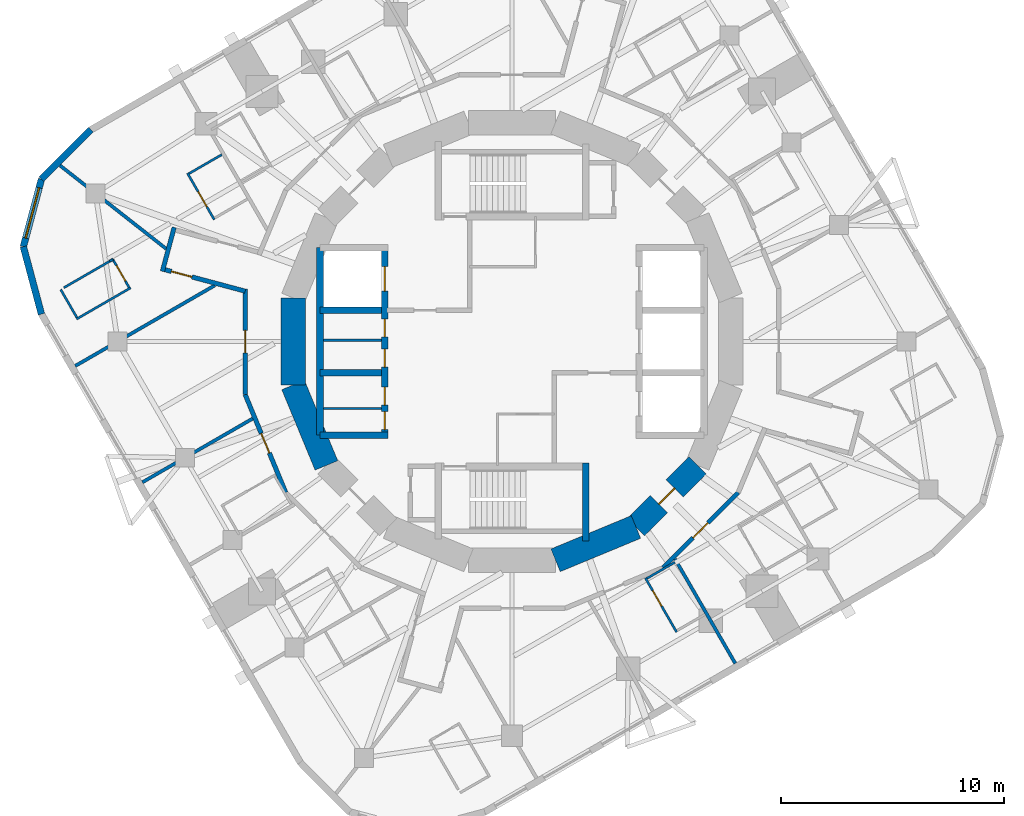
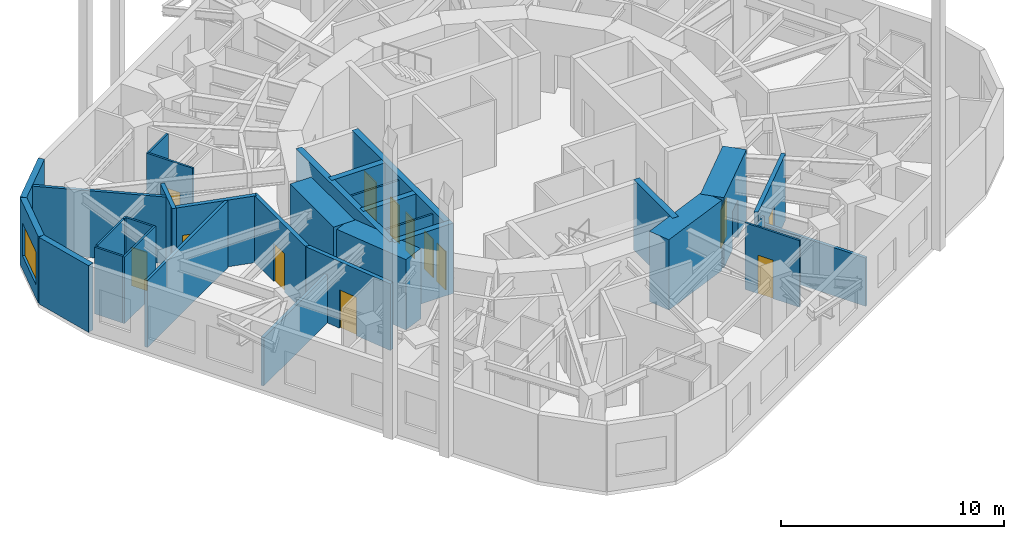
# One storey, part 5 of 10: 33 walls, 13 doors, 1 window, 14 openings.
"""IFC4 building model written with IfcOpenShell, lengths in metres."""

from ifc_helpers import new_model, si_unit, direction, frame, frame_2d, origin, place, context, subcontext, project, spatial, rectangle, extrude, material, layer, layer_set, type_object, element, fill, save


model = new_model("IFC4")

# Units and contexts
model_context = context("Model", 3, precision=1e-05, world=origin(), true_north=direction((0.0, 1.0)))
body_context = subcontext(model_context, "Body", "Model", "MODEL_VIEW")
ifc_project = project(units=[si_unit("LENGTHUNIT", "METRE"), si_unit("AREAUNIT", "SQUARE_METRE"), si_unit("VOLUMEUNIT", "CUBIC_METRE"), si_unit("PLANEANGLEUNIT", "RADIAN"), si_unit("MASSUNIT", "GRAM", prefix="KILO")], contexts=[model_context])

# Site, building, storey
site_placement = place(None, origin())
site = spatial("IfcSite", under=ifc_project, at=site_placement, CompositionType="ELEMENT")
building_placement = place(site_placement, origin())
building = spatial("IfcBuilding", under=site, at=building_placement, Name="Nakasero Lantern House", CompositionType="ELEMENT")
storey_placement = place(building_placement, frame((0.0, 0.0, 223.10009765625)))
storey = spatial("IfcBuildingStorey", under=building, at=storey_placement, Name="L54", CompositionType="ELEMENT", Elevation=223.10009765625)

# Wall, openings, doors
ifc_material_1 = material(Name="Concrete C50/60", Category="concrete")
ifc_layer_1 = layer(ifc_material_1, 0.300048828125)
ifc_layer_set_1 = layer_set([ifc_layer_1], Name="Core inner wall 300")
wall_type_1 = type_object("IfcWallType", Name="Core inner wall 300", PredefinedType="SHEAR", material=ifc_layer_set_1)
wall_1_placement = place(storey_placement, frame((-5.699951171875, -4.199951171875, 0.0), z_axis=(0.0, 0.0, 1.0), x_axis=(0.0, 1.0, 0.0)))
wall_1 = element("IfcWall", 1, at=wall_1_placement, inside=storey, type_object=wall_type_1, Name="Core inner wall L54 LW", PredefinedType="SHEAR", context=body_context, shape_type="SweptSolid", body=[
    extrude(rectangle(XDim=8.39990234375, YDim=0.300048828125, at=frame_2d((4.199951171875, 0.0))), origin(), (0.0, 0.0, 1.0), 3.849853515625),
])
opening_1_placement = place(wall_1_placement, frame((0.25, 0.0, 0.0)))
opening_1 = element("IfcOpeningElement", 2, at=opening_1_placement, cuts=wall_1, Name="Opening D15", PredefinedType="OPENING", context=body_context, shape_type="SweptSolid", body=[
    extrude(rectangle(XDim=0.800048828125, YDim=2.10009765625, at=frame_2d((0.39990234375, 1.050048828125))), frame((0.0, 0.169921875, 0.0), z_axis=(0.0, -1.0, 0.0), x_axis=(1.0, 0.0, 0.0)), (0.0, 0.0, 1.0), 0.340087890625),
])
opening_2_placement = place(wall_1_placement, frame((1.35009765625, 0.0, 0.0)))
opening_2 = element("IfcOpeningElement", 3, at=opening_2_placement, cuts=wall_1, Name="Opening D15", PredefinedType="OPENING", context=body_context, shape_type="SweptSolid", body=[
    extrude(rectangle(XDim=0.800048828125, YDim=2.10009765625, at=frame_2d((0.39990234375, 1.050048828125))), frame((0.0, 0.169921875, 0.0), z_axis=(0.0, -1.0, 0.0), x_axis=(1.0, 0.0, 0.0)), (0.0, 0.0, 1.0), 0.340087890625),
])
opening_3_placement = place(wall_1_placement, frame((3.050048828125, 0.0, 0.0)))
opening_3 = element("IfcOpeningElement", 4, at=opening_3_placement, cuts=wall_1, Name="Opening D15", PredefinedType="OPENING", context=body_context, shape_type="SweptSolid", body=[
    extrude(rectangle(XDim=0.800048828125, YDim=2.10009765625, at=frame_2d((0.39990234375, 1.050048828125))), frame((0.0, 0.169921875, 0.0), z_axis=(0.0, -1.0, 0.0), x_axis=(1.0, 0.0, 0.0)), (0.0, 0.0, 1.0), 0.340087890625),
])
opening_4_placement = place(wall_1_placement, frame((4.39990234375, 0.0, 0.0)))
opening_4 = element("IfcOpeningElement", 5, at=opening_4_placement, cuts=wall_1, Name="Opening D15", PredefinedType="OPENING", context=body_context, shape_type="SweptSolid", body=[
    extrude(rectangle(XDim=0.800048828125, YDim=2.10009765625, at=frame_2d((0.39990234375, 1.050048828125))), frame((0.0, 0.169921875, 0.0), z_axis=(0.0, -1.0, 0.0), x_axis=(1.0, 0.0, 0.0)), (0.0, 0.0, 1.0), 0.340087890625),
])
opening_5_placement = place(wall_1_placement, frame((6.449951171875, 0.0, 0.0)))
opening_5 = element("IfcOpeningElement", 6, at=opening_5_placement, cuts=wall_1, Name="Opening LD", PredefinedType="OPENING", context=body_context, shape_type="SweptSolid", body=[
    extrude(rectangle(XDim=1.10009765625, YDim=2.10009765625, at=frame_2d((0.550048828125, 1.050048828125))), frame((0.0, 0.169921875, 0.0), z_axis=(0.0, -1.0, 0.0), x_axis=(1.0, 0.0, 0.0)), (0.0, 0.0, 1.0), 0.340087890625),
])
ifc_material_2 = material(Name="Timber C24", Category="wood")
door_type_1 = type_object("IfcDoorType", Name="Cleaner's store door FD30S 800", OperationType="SINGLE_SWING_LEFT", PredefinedType="DOOR", material=ifc_material_2)
door_1_placement = place(opening_1_placement, origin())
door_1 = element("IfcDoor", 7, at=door_1_placement, inside=storey, type_object=door_type_1, Name="Door L54 D-SH-LW1a", OperationType="SINGLE_SWING_LEFT", OverallHeight=2.10009765625, OverallWidth=0.800048828125, PredefinedType="DOOR", context=body_context, shape_type="SweptSolid", body=[
    extrude(rectangle(XDim=0.800048828125, YDim=2.10009765625, at=frame_2d((0.39990234375, 1.050048828125))), frame((0.0, 0.02490234375, 0.0), z_axis=(0.0, -1.0, 0.0), x_axis=(1.0, 0.0, 0.0)), (0.0, 0.0, 1.0), 0.050048828125),
])
fill(opening_1, door_1)
door_2_placement = place(opening_2_placement, origin())
door_2 = element("IfcDoor", 8, at=door_2_placement, inside=storey, type_object=door_type_1, Name="Door L54 D-SH-LW1b", OperationType="SINGLE_SWING_LEFT", OverallHeight=2.10009765625, OverallWidth=0.800048828125, PredefinedType="DOOR", context=body_context, shape_type="SweptSolid", body=[
    extrude(rectangle(XDim=0.800048828125, YDim=2.10009765625, at=frame_2d((0.39990234375, 1.050048828125))), frame((0.0, 0.02490234375, 0.0), z_axis=(0.0, -1.0, 0.0), x_axis=(1.0, 0.0, 0.0)), (0.0, 0.0, 1.0), 0.050048828125),
])
fill(opening_2, door_2)
door_3_placement = place(opening_3_placement, origin())
door_3 = element("IfcDoor", 9, at=door_3_placement, inside=storey, type_object=door_type_1, Name="Door L54 D-SH-LW2a", OperationType="SINGLE_SWING_LEFT", OverallHeight=2.10009765625, OverallWidth=0.800048828125, PredefinedType="DOOR", context=body_context, shape_type="SweptSolid", body=[
    extrude(rectangle(XDim=0.800048828125, YDim=2.10009765625, at=frame_2d((0.39990234375, 1.050048828125))), frame((0.0, 0.02490234375, 0.0), z_axis=(0.0, -1.0, 0.0), x_axis=(1.0, 0.0, 0.0)), (0.0, 0.0, 1.0), 0.050048828125),
])
fill(opening_3, door_3)
door_4_placement = place(opening_4_placement, origin())
door_4 = element("IfcDoor", 10, at=door_4_placement, inside=storey, type_object=door_type_1, Name="Door L54 D-SH-LW2b", OperationType="SINGLE_SWING_RIGHT", OverallHeight=2.10009765625, OverallWidth=0.800048828125, PredefinedType="DOOR", context=body_context, shape_type="SweptSolid", body=[
    extrude(rectangle(XDim=0.800048828125, YDim=2.10009765625, at=frame_2d((0.39990234375, 1.050048828125))), frame((0.0, 0.02490234375, 0.0), z_axis=(0.0, -1.0, 0.0), x_axis=(1.0, 0.0, 0.0)), (0.0, 0.0, 1.0), 0.050048828125),
])
fill(opening_4, door_4)
ifc_material_3 = material(Name="Steel S355", Category="steel")
door_type_2 = type_object("IfcDoorType", Name="Lift landing door E120 1100", OperationType="SLIDING_TO_LEFT", PredefinedType="DOOR", material=ifc_material_3)
door_5_placement = place(opening_5_placement, origin())
door_5 = element("IfcDoor", 11, at=door_5_placement, inside=storey, type_object=door_type_2, Name="Lift landing door LW3", OperationType="SLIDING_TO_LEFT", OverallHeight=2.10009765625, OverallWidth=1.10009765625, PredefinedType="DOOR", context=body_context, shape_type="SweptSolid", body=[
    extrude(rectangle(XDim=1.10009765625, YDim=2.10009765625, at=frame_2d((0.550048828125, 1.050048828125))), frame((0.0, 0.02490234375, 0.0), z_axis=(0.0, -1.0, 0.0), x_axis=(1.0, 0.0, 0.0)), (0.0, 0.0, 1.0), 0.050048828125),
])
fill(opening_5, door_5)

# Walls
wall_2_placement = place(storey_placement, frame((-8.60009765625, -4.199951171875, 0.0), z_axis=(0.0, 0.0, 1.0), x_axis=(1.0, 0.0, 0.0)))
element("IfcWall", 12, at=wall_2_placement, inside=storey, type_object=wall_type_1, Name="Core inner wall L54 LWS", PredefinedType="SHEAR", context=body_context, shape_type="SweptSolid", body=[
    extrude(rectangle(XDim=3.050048828125, YDim=0.300048828125, at=frame_2d((1.52490234375, 0.0))), origin(), (0.0, 0.0, 1.0), 3.849853515625),
])
wall_3_placement = place(storey_placement, frame((-8.60009765625, -4.199951171875, 0.0), z_axis=(0.0, 0.0, 1.0), x_axis=(0.0, 1.0, 0.0)))
element("IfcWall", 13, at=wall_3_placement, inside=storey, type_object=wall_type_1, Name="Core inner wall L54 LWB", PredefinedType="SHEAR", context=body_context, shape_type="SweptSolid", body=[
    extrude(rectangle(XDim=8.39990234375, YDim=0.300048828125, at=frame_2d((4.199951171875, 0.0))), origin(), (0.0, 0.0, 1.0), 3.849853515625),
])
for number, where, z_axis, x_axis, name in (
    (14, (-8.60009765625, -1.39990234375, 0.0), (0.0, 0.0, 1.0), (1.0, 0.0, 0.0), "Core inner wall L54 LW1"),
    (15, (-8.60009765625, 1.39990234375, 0.0), (0.0, 0.0, 1.0), (1.0, 0.0, 0.0), "Core inner wall L54 LW2"),
):
    element("IfcWall", number, at=place(storey_placement, frame(where, z_axis=z_axis, x_axis=x_axis)), inside=storey, type_object=wall_type_1, Name=name, PredefinedType="SHEAR", context=body_context, shape_type="SweptSolid", body=[
        extrude(rectangle(XDim=2.75, YDim=0.300048828125, at=frame_2d((1.375, 0.0))), origin(), (0.0, 0.0, 1.0), 3.849853515625),
    ])
wall_4_placement = place(storey_placement, frame((3.300048828125, -5.449951171875, 0.0), z_axis=(0.0, 0.0, 1.0), x_axis=(0.0, -1.0, 0.0)))
element("IfcWall", 16, at=wall_4_placement, inside=storey, type_object=wall_type_1, Name="Core inner wall L54 SSE", PredefinedType="SHEAR", context=body_context, shape_type="SweptSolid", body=[
    extrude(rectangle(XDim=3.5, YDim=0.300048828125, at=frame_2d((1.75, 0.0))), origin(), (0.0, 0.0, 1.0), 3.849853515625),
])
ifc_material_4 = material(Name="Blockwork", Category="masonry")
ifc_layer_2 = layer(ifc_material_4, 0.10009765625)
ifc_layer_set_2 = layer_set([ifc_layer_2], Name="Core room wall 100")
wall_type_2 = type_object("IfcWallType", Name="Core room wall 100", PredefinedType="PARTITIONING", material=ifc_layer_set_2)
for number, where, z_axis, x_axis, name in (
    (17, (-8.449951171875, -3.0, 0.0), (0.0, 0.0, 1.0), (1.0, 0.0, 0.0), "Core room wall L54 CR-SH-LW1b"),
    (18, (-8.449951171875, 0.050048828125, 0.0), (0.0, 0.0, 1.0), (1.0, 0.0, 0.0), "Core room wall L54 CR-SH-LW2b"),
):
    element("IfcWall", number, at=place(storey_placement, frame(where, z_axis=z_axis, x_axis=x_axis)), inside=storey, type_object=wall_type_2, Name=name, PredefinedType="PARTITIONING", context=body_context, shape_type="SweptSolid", body=[
        extrude(rectangle(XDim=2.599853515625, YDim=0.10009765625, at=frame_2d((1.2998046875, 0.0))), origin(), (0.0, 0.0, 1.0), 3.64990234375),
    ])
ifc_material_5 = material(Name="Concrete C50/60", Category="concrete")
ifc_layer_3 = layer(ifc_material_5, 1.10009765625)
ifc_layer_set_3 = layer_set([ifc_layer_3], Name="Core wall 1100")
wall_type_3 = type_object("IfcWallType", Name="Core wall 1100", PredefinedType="SHEAR", material=ifc_layer_set_3)
for number, where, z_axis, x_axis, name in (
    (19, (-9.807861328125, 1.950927734375, 0.0), (0.0, 0.0, 1.0), (0.0, -1.0, 0.0), "Core wall L54 facet 8"),
    (20, (-9.807861328125, -1.950927734375, 0.0), (0.0, 0.0, 1.0), (0.382690736062, -0.923876507187, 0.0), "Core wall L54 facet 9"),
    (21, (1.950927734375, -9.807861328125, 0.0), (0.0, 0.0, 1.0), (0.923876507187, 0.382690736062, 0.0), "Core wall L54 facet 13"),
):
    element("IfcWall", number, at=place(storey_placement, frame(where, z_axis=z_axis, x_axis=x_axis)), inside=storey, type_object=wall_type_3, Name=name, PredefinedType="SHEAR", context=body_context, shape_type="SweptSolid", body=[
        extrude(rectangle(XDim=3.90185546875, YDim=1.10009765625, at=frame_2d((1.950927734375, 0.0))), origin(), (0.0, 0.0, 1.0), 3.849853515625),
    ])

# Wall, opening, door
wall_5_placement = place(storey_placement, frame((5.5556640625, -8.314697265625, 0.0), z_axis=(0.0, 0.0, 1.0), x_axis=(0.707106781187, 0.707106781187, 0.0)))
wall_5 = element("IfcWall", 22, at=wall_5_placement, inside=storey, type_object=wall_type_3, Name="Core wall L54 facet 14", PredefinedType="SHEAR", context=body_context, shape_type="SweptSolid", body=[
    extrude(rectangle(XDim=3.90185546875, YDim=1.10009765625, at=frame_2d((1.950927734375, 0.0))), origin(), (0.0, 0.0, 1.0), 3.849853515625),
])
opening_6_placement = place(wall_5_placement, frame((1.450927734375, 0.0, 0.0)))
opening_6 = element("IfcOpeningElement", 23, at=opening_6_placement, cuts=wall_5, Name="Opening D05", PredefinedType="OPENING", context=body_context, shape_type="SweptSolid", body=[
    extrude(rectangle(XDim=1.0, YDim=2.10009765625, at=frame_2d((0.5, 1.050048828125))), frame((0.0, 0.570068359375, 0.0), z_axis=(0.0, -1.0, 0.0), x_axis=(1.0, 0.0, 0.0)), (0.0, 0.0, 1.0), 1.14013671875),
])
ifc_material_6 = material(Name="Timber C24", Category="wood")
door_type_3 = type_object("IfcDoorType", Name="Core door FD60S 1000", OperationType="SINGLE_SWING_LEFT", PredefinedType="DOOR", material=ifc_material_6)
door_6_placement = place(opening_6_placement, origin())
door_6 = element("IfcDoor", 24, at=door_6_placement, inside=storey, type_object=door_type_3, Name="Door L54 D-CORE14", OperationType="SINGLE_SWING_LEFT", OverallHeight=2.10009765625, OverallWidth=1.0, PredefinedType="DOOR", context=body_context, shape_type="SweptSolid", body=[
    extrude(rectangle(XDim=1.0, YDim=2.10009765625, at=frame_2d((0.5, 1.050048828125))), frame((0.0, 0.02490234375, 0.0), z_axis=(0.0, -1.0, 0.0), x_axis=(1.0, 0.0, 0.0)), (0.0, 0.0, 1.0), 0.050048828125),
])
fill(opening_6, door_6)

ifc_material_7 = material(Name="Blockwork", Category="masonry")
ifc_layer_4 = layer(ifc_material_7, 0.199951171875)
ifc_layer_set_4 = layer_set([ifc_layer_4], Name="Corridor wall 200")
wall_type_4 = type_object("IfcWallType", Name="Corridor wall 200", PredefinedType="PARTITIONING", material=ifc_layer_set_4)
wall_6_placement = place(storey_placement, frame((10.137451171875, -6.773681640625, 0.0), z_axis=(0.0, 0.0, 1.0), x_axis=(-0.707106781187, -0.707106781187, 0.0)))
wall_6 = element("IfcWall", 25, at=wall_6_placement, inside=storey, type_object=wall_type_4, Name="Corridor wall L54 RC02a", PredefinedType="PARTITIONING", context=body_context, shape_type="SweptSolid", body=[
    extrude(rectangle(XDim=4.757080078125, YDim=0.199951171875, at=frame_2d((2.37841796875, 0.0))), origin(), (0.0, 0.0, 1.0), 3.64990234375),
])
opening_7_placement = place(wall_6_placement, frame((1.919921875, 0.0, 0.0)))
opening_7 = element("IfcOpeningElement", 26, at=opening_7_placement, cuts=wall_6, Name="Opening D01", PredefinedType="OPENING", context=body_context, shape_type="SweptSolid", body=[
    extrude(rectangle(XDim=0.949951171875, YDim=2.10009765625, at=frame_2d((0.47509765625, 1.050048828125))), frame((0.0, 0.119873046875, 0.0), z_axis=(0.0, -1.0, 0.0), x_axis=(1.0, 0.0, 0.0)), (0.0, 0.0, 1.0), 0.239990234375),
])
ifc_material_8 = material(Name="Timber C24", Category="wood")
door_type_4 = type_object("IfcDoorType", Name="Bedroom door FD30S 950", OperationType="SINGLE_SWING_LEFT", PredefinedType="DOOR", material=ifc_material_8)
door_7_placement = place(opening_7_placement, origin())
door_7 = element("IfcDoor", 27, at=door_7_placement, inside=storey, type_object=door_type_4, Name="Door L54 D3-04", OperationType="SINGLE_SWING_RIGHT", OverallHeight=2.10009765625, OverallWidth=0.949951171875, PredefinedType="DOOR", context=body_context, shape_type="SweptSolid", body=[
    extrude(rectangle(XDim=0.949951171875, YDim=2.10009765625, at=frame_2d((0.47509765625, 1.050048828125))), frame((0.0, 0.02490234375, 0.0), z_axis=(0.0, -1.0, 0.0), x_axis=(1.0, 0.0, 0.0)), (0.0, 0.0, 1.0), 0.050048828125),
])
fill(opening_7, door_7)

wall_7_placement = place(storey_placement, frame((-10.137451171875, -6.773681640625, 0.0), z_axis=(0.0, 0.0, 1.0), x_axis=(-0.382653970627, 0.923891735412, 0.0)))
wall_7 = element("IfcWall", 28, at=wall_7_placement, inside=storey, type_object=wall_type_4, Name="Corridor wall L54 RC07a", PredefinedType="PARTITIONING", context=body_context, shape_type="SweptSolid", body=[
    extrude(rectangle(XDim=4.757080078125, YDim=0.199951171875, at=frame_2d((2.37841796875, 0.0))), origin(), (0.0, 0.0, 1.0), 3.64990234375),
])
opening_8_placement = place(wall_7_placement, frame((1.919921875, 0.0, 0.0)))
opening_8 = element("IfcOpeningElement", 29, at=opening_8_placement, cuts=wall_7, Name="Opening D01", PredefinedType="OPENING", context=body_context, shape_type="SweptSolid", body=[
    extrude(rectangle(XDim=0.949951171875, YDim=2.10009765625, at=frame_2d((0.47509765625, 1.050048828125))), frame((0.0, 0.119873046875, 0.0), z_axis=(0.0, -1.0, 0.0), x_axis=(1.0, 0.0, 0.0)), (0.0, 0.0, 1.0), 0.239990234375),
])
door_8_placement = place(opening_8_placement, origin())
door_8 = element("IfcDoor", 30, at=door_8_placement, inside=storey, type_object=door_type_4, Name="Door L54 D2-03", OperationType="SINGLE_SWING_RIGHT", OverallHeight=2.10009765625, OverallWidth=0.949951171875, PredefinedType="DOOR", context=body_context, shape_type="SweptSolid", body=[
    extrude(rectangle(XDim=0.949951171875, YDim=2.10009765625, at=frame_2d((0.47509765625, 1.050048828125))), frame((0.0, 0.02490234375, 0.0), z_axis=(0.0, -1.0, 0.0), x_axis=(1.0, 0.0, 0.0)), (0.0, 0.0, 1.0), 0.050048828125),
])
fill(opening_8, door_8)

wall_8_placement = place(storey_placement, frame((-11.957763671875, -2.378662109375, 0.0), z_axis=(0.0, 0.0, 1.0), x_axis=(0.0, 1.0, 0.0)))
wall_8 = element("IfcWall", 31, at=wall_8_placement, inside=storey, type_object=wall_type_4, Name="Corridor wall L54 RC08a", PredefinedType="PARTITIONING", context=body_context, shape_type="SweptSolid", body=[
    extrude(rectangle(XDim=4.73388671875, YDim=0.199951171875, at=frame_2d((2.366943359375, 0.0))), origin(), (0.0, 0.0, 1.0), 3.64990234375),
])
opening_9_placement = place(wall_8_placement, frame((1.8701171875, 0.0, 0.0)))
opening_9 = element("IfcOpeningElement", 32, at=opening_9_placement, cuts=wall_8, Name="Opening D03", PredefinedType="OPENING", context=body_context, shape_type="SweptSolid", body=[
    extrude(rectangle(XDim=1.0, YDim=2.10009765625, at=frame_2d((0.5, 1.050048828125))), frame((0.0, 0.119873046875, 0.0), z_axis=(0.0, -1.0, 0.0), x_axis=(1.0, 0.0, 0.0)), (0.0, 0.0, 1.0), 0.239990234375),
])
ifc_material_9 = material(Name="Timber C24", Category="wood")
door_type_5 = type_object("IfcDoorType", Name="Lounge door FD30S 1000", OperationType="SINGLE_SWING_LEFT", PredefinedType="DOOR", material=ifc_material_9)
door_9_placement = place(opening_9_placement, origin())
door_9 = element("IfcDoor", 33, at=door_9_placement, inside=storey, type_object=door_type_5, Name="Door L54 DK2", OperationType="SINGLE_SWING_RIGHT", OverallHeight=2.10009765625, OverallWidth=1.0, PredefinedType="DOOR", context=body_context, shape_type="SweptSolid", body=[
    extrude(rectangle(XDim=1.0, YDim=2.10009765625, at=frame_2d((0.5, 1.050048828125))), frame((0.0, 0.02490234375, 0.0), z_axis=(0.0, -1.0, 0.0), x_axis=(1.0, 0.0, 0.0)), (0.0, 0.0, 1.0), 0.050048828125),
])
fill(opening_9, door_9)

wall_9_placement = place(storey_placement, frame((-11.957763671875, 2.251708984375, 0.0), z_axis=(0.0, 0.0, 1.0), x_axis=(-0.965925480671, 0.258820334962, 0.0)))
wall_9 = element("IfcWall", 34, at=wall_9_placement, inside=storey, type_object=wall_type_4, Name="Corridor wall L54 SP1b", PredefinedType="PARTITIONING", context=body_context, shape_type="SweptSolid", body=[
    extrude(rectangle(XDim=3.910888671875, YDim=0.199951171875, at=frame_2d((1.95556640625, 0.0))), origin(), (0.0, 0.0, 1.0), 3.64990234375),
])
opening_10_placement = place(wall_9_placement, frame((2.469970703125, 0.0, 0.0)))
opening_10 = element("IfcOpeningElement", 35, at=opening_10_placement, cuts=wall_9, Name="Opening D01", PredefinedType="OPENING", context=body_context, shape_type="SweptSolid", body=[
    extrude(rectangle(XDim=0.949951171875, YDim=2.10009765625, at=frame_2d((0.47509765625, 1.050048828125))), frame((0.0, 0.119873046875, 0.0), z_axis=(0.0, -1.0, 0.0), x_axis=(1.0, 0.0, 0.0)), (0.0, 0.0, 1.0), 0.239990234375),
])
door_10_placement = place(opening_10_placement, origin())
door_10 = element("IfcDoor", 36, at=door_10_placement, inside=storey, type_object=door_type_4, Name="Door L54 D2-00", OperationType="SINGLE_SWING_RIGHT", OverallHeight=2.10009765625, OverallWidth=0.949951171875, PredefinedType="DOOR", context=body_context, shape_type="SweptSolid", body=[
    extrude(rectangle(XDim=0.949951171875, YDim=2.10009765625, at=frame_2d((0.47509765625, 1.050048828125))), frame((0.0, 0.02490234375, 0.0), z_axis=(0.0, -1.0, 0.0), x_axis=(1.0, 0.0, 0.0)), (0.0, 0.0, 1.0), 0.050048828125),
])
fill(opening_10, door_10)

# Wall
wall_10_placement = place(storey_placement, frame((-15.136474609375, 5.11181640625, 0.0), z_axis=(0.0, 0.0, 1.0), x_axis=(-0.258861706671, -0.965914394147, 0.0)))
element("IfcWall", 37, at=wall_10_placement, inside=storey, type_object=wall_type_4, Name="Corridor wall L54 SP1e", PredefinedType="PARTITIONING", context=body_context, shape_type="SweptSolid", body=[
    extrude(rectangle(XDim=2.0400390625, YDim=0.199951171875, at=frame_2d((1.02001953125, 0.0))), origin(), (0.0, 0.0, 1.0), 3.64990234375),
])

# Wall, opening, door
ifc_material_10 = material(Name="Blockwork", Category="masonry")
ifc_layer_5 = layer(ifc_material_10, 0.10009765625)
ifc_layer_set_5 = layer_set([ifc_layer_5], Name="En-suite wall 100")
wall_type_5 = type_object("IfcWallType", Name="En-suite wall 100", PredefinedType="PARTITIONING", material=ifc_layer_set_5)
wall_11_placement = place(storey_placement, frame((-13.342041015625, 5.46044921875, 0.0), z_axis=(0.0, 0.0, 1.0), x_axis=(-0.500033551112, 0.866006032174, 0.0)))
wall_11 = element("IfcWall", 38, at=wall_11_placement, inside=storey, type_object=wall_type_5, Name="En-suite wall L54 ES1-06", PredefinedType="PARTITIONING", context=body_context, shape_type="SweptSolid", body=[
    extrude(rectangle(XDim=2.400146484375, YDim=0.10009765625, at=frame_2d((1.2001953125, 0.0))), origin(), (0.0, 0.0, 1.0), 3.64990234375),
])
opening_11_placement = place(wall_11_placement, frame((0.64990234375, 0.0, 0.0)))
opening_11 = element("IfcOpeningElement", 39, at=opening_11_placement, cuts=wall_11, Name="Opening D02", PredefinedType="OPENING", context=body_context, shape_type="SweptSolid", body=[
    extrude(rectangle(XDim=0.800048828125, YDim=2.10009765625, at=frame_2d((0.39990234375, 1.050048828125))), frame((0.0, 0.070068359375, 0.0), z_axis=(0.0, -1.0, 0.0), x_axis=(1.0, 0.0, 0.0)), (0.0, 0.0, 1.0), 0.14013671875),
])
ifc_material_11 = material(Name="Timber C24", Category="wood")
door_type_6 = type_object("IfcDoorType", Name="En-suite door 800", OperationType="SINGLE_SWING_RIGHT", PredefinedType="DOOR", material=ifc_material_11)
door_11_placement = place(opening_11_placement, origin())
door_11 = element("IfcDoor", 40, at=door_11_placement, inside=storey, type_object=door_type_6, Name="Door L54 DE1-06", OperationType="SINGLE_SWING_LEFT", OverallHeight=2.10009765625, OverallWidth=0.800048828125, PredefinedType="DOOR", context=body_context, shape_type="SweptSolid", body=[
    extrude(rectangle(XDim=0.800048828125, YDim=2.10009765625, at=frame_2d((0.39990234375, 1.050048828125))), frame((0.0, 0.02490234375, 0.0), z_axis=(0.0, -1.0, 0.0), x_axis=(1.0, 0.0, 0.0)), (0.0, 0.0, 1.0), 0.050048828125),
])
fill(opening_11, door_11)

# Walls
wall_12_placement = place(storey_placement, frame((-13.001708984375, 8.37060546875, 0.0), z_axis=(0.0, 0.0, 1.0), x_axis=(-0.86605165483, -0.499954529098, 0.0)))
element("IfcWall", 41, at=wall_12_placement, inside=storey, type_object=wall_type_5, Name="En-suite wall L54 EE1-06", PredefinedType="PARTITIONING", context=body_context, shape_type="SweptSolid", body=[
    extrude(rectangle(XDim=1.699951171875, YDim=0.10009765625, at=frame_2d((0.85009765625, 0.0))), origin(), (0.0, 0.0, 1.0), 3.64990234375),
])
wall_13_placement = place(storey_placement, frame((-17.09033203125, 2.401611328125, 0.0), z_axis=(0.0, 0.0, 1.0), x_axis=(-0.866018616679, -0.500011755427, 0.0)))
element("IfcWall", 42, at=wall_13_placement, inside=storey, type_object=wall_type_5, Name="En-suite wall L54 ES2-00", PredefinedType="PARTITIONING", context=body_context, shape_type="SweptSolid", body=[
    extrude(rectangle(XDim=2.80029296875, YDim=0.10009765625, at=frame_2d((1.400146484375, 0.0))), origin(), (0.0, 0.0, 1.0), 3.64990234375),
])
wall_14_placement = place(storey_placement, frame((-20.221923828125, 2.325439453125, 0.0), z_axis=(0.0, 0.0, 1.0), x_axis=(0.499960540515, -0.86604818453, 0.0)))
element("IfcWall", 43, at=wall_14_placement, inside=storey, type_object=wall_type_5, Name="En-suite wall L54 EE2-00", PredefinedType="PARTITIONING", context=body_context, shape_type="SweptSolid", body=[
    extrude(rectangle(XDim=1.44970703125, YDim=0.10009765625, at=frame_2d((0.724853515625, 0.0))), origin(), (0.0, 0.0, 1.0), 3.64990234375),
])

# Wall, opening, door
wall_15_placement = place(storey_placement, frame((-17.8837890625, 3.675537109375, 0.0), z_axis=(0.0, 0.0, 1.0), x_axis=(0.500086826395, -0.865975268738, 0.0)))
wall_15 = element("IfcWall", 44, at=wall_15_placement, inside=storey, type_object=wall_type_5, Name="En-suite wall L54 EI2-00", PredefinedType="PARTITIONING", context=body_context, shape_type="SweptSolid", body=[
    extrude(rectangle(XDim=1.449951171875, YDim=0.10009765625, at=frame_2d((0.72509765625, 0.0))), origin(), (0.0, 0.0, 1.0), 3.64990234375),
])
opening_12_placement = place(wall_15_placement, frame((0.324951171875, 0.0, 0.0)))
opening_12 = element("IfcOpeningElement", 45, at=opening_12_placement, cuts=wall_15, Name="Opening D02", PredefinedType="OPENING", context=body_context, shape_type="SweptSolid", body=[
    extrude(rectangle(XDim=0.800048828125, YDim=2.10009765625, at=frame_2d((0.39990234375, 1.050048828125))), frame((0.0, 0.070068359375, 0.0), z_axis=(0.0, -1.0, 0.0), x_axis=(1.0, 0.0, 0.0)), (0.0, 0.0, 1.0), 0.14013671875),
])
door_12_placement = place(opening_12_placement, origin())
door_12 = element("IfcDoor", 46, at=door_12_placement, inside=storey, type_object=door_type_6, Name="Door L54 DE2-00", OperationType="SINGLE_SWING_LEFT", OverallHeight=2.10009765625, OverallWidth=0.800048828125, PredefinedType="DOOR", context=body_context, shape_type="SweptSolid", body=[
    extrude(rectangle(XDim=0.800048828125, YDim=2.10009765625, at=frame_2d((0.39990234375, 1.050048828125))), frame((0.0, 0.02490234375, 0.0), z_axis=(0.0, -1.0, 0.0), x_axis=(1.0, 0.0, 0.0)), (0.0, 0.0, 1.0), 0.050048828125),
])
fill(opening_12, door_12)

wall_16_placement = place(storey_placement, frame((5.976318359375, -10.599609375, 0.0), z_axis=(0.0, 0.0, 1.0), x_axis=(0.500049511043, -0.865996816683, 0.0)))
wall_16 = element("IfcWall", 47, at=wall_16_placement, inside=storey, type_object=wall_type_5, Name="En-suite wall L54 ES3-03", PredefinedType="PARTITIONING", context=body_context, shape_type="SweptSolid", body=[
    extrude(rectangle(XDim=2.800048828125, YDim=0.10009765625, at=frame_2d((1.39990234375, 0.0))), origin(), (0.0, 0.0, 1.0), 3.64990234375),
])
opening_13_placement = place(wall_16_placement, frame((0.64990234375, 0.0, 0.0)))
opening_13 = element("IfcOpeningElement", 48, at=opening_13_placement, cuts=wall_16, Name="Opening D02", PredefinedType="OPENING", context=body_context, shape_type="SweptSolid", body=[
    extrude(rectangle(XDim=0.800048828125, YDim=2.10009765625, at=frame_2d((0.39990234375, 1.050048828125))), frame((0.0, 0.070068359375, 0.0), z_axis=(0.0, -1.0, 0.0), x_axis=(1.0, 0.0, 0.0)), (0.0, 0.0, 1.0), 0.14013671875),
])
door_13_placement = place(opening_13_placement, origin())
door_13 = element("IfcDoor", 49, at=door_13_placement, inside=storey, type_object=door_type_6, Name="Door L54 DE3-03", OperationType="SINGLE_SWING_LEFT", OverallHeight=2.10009765625, OverallWidth=0.800048828125, PredefinedType="DOOR", context=body_context, shape_type="SweptSolid", body=[
    extrude(rectangle(XDim=0.800048828125, YDim=2.10009765625, at=frame_2d((0.39990234375, 1.050048828125))), frame((0.0, 0.02490234375, 0.0), z_axis=(0.0, -1.0, 0.0), x_axis=(1.0, 0.0, 0.0)), (0.0, 0.0, 1.0), 0.050048828125),
])
fill(opening_13, door_13)

# Walls
wall_17_placement = place(storey_placement, frame((6.044677734375, -10.617919921875, 0.0), z_axis=(0.0, 0.0, 1.0), x_axis=(0.866090267075, 0.499887636653, 0.0)))
element("IfcWall", 50, at=wall_17_placement, inside=storey, type_object=wall_type_5, Name="En-suite wall L54 EI3-03", PredefinedType="PARTITIONING", context=body_context, shape_type="SweptSolid", body=[
    extrude(rectangle(XDim=1.449951171875, YDim=0.10009765625, at=frame_2d((0.72509765625, 0.0))), origin(), (0.0, 0.0, 1.0), 3.11328125),
])
wall_18_placement = place(storey_placement, frame((-18.022216796875, 3.595458984375, 0.0), z_axis=(0.0, 0.0, 1.0), x_axis=(-0.866050645752, -0.499956277081, 0.0)))
element("IfcWall", 51, at=wall_18_placement, inside=storey, type_object=wall_type_5, Name="En-suite wall L54 EX002", PredefinedType="PARTITIONING", context=body_context, shape_type="SweptSolid", body=[
    extrude(rectangle(XDim=2.380126953125, YDim=0.10009765625, at=frame_2d((1.18994140625, 0.0))), origin(), (0.0, 0.0, 1.0), 3.64990234375),
])
wall_19_placement = place(storey_placement, frame((-17.8837890625, 3.675537109375, 0.0), z_axis=(0.0, 0.0, 1.0), x_axis=(-0.865600433939, -0.500735348028, 0.0)))
element("IfcWall", 52, at=wall_19_placement, inside=storey, type_object=wall_type_5, Name="En-suite wall L54 EI2-00R0", PredefinedType="PARTITIONING", context=body_context, shape_type="SweptSolid", body=[
    extrude(rectangle(XDim=0.159912109375, YDim=0.10009765625, at=frame_2d((0.080078125, 0.0))), origin(), (0.0, 0.0, 1.0), 3.64990234375),
])
ifc_material_12 = material(Name="Aluminium rainscreen on blockwork", Category="masonry")
ifc_layer_6 = layer(ifc_material_12, 0.300048828125)
ifc_layer_set_6 = layer_set([ifc_layer_6], Name="Facade wall 300")
wall_type_6 = type_object("IfcWallType", Name="Facade wall 300", PredefinedType="SOLIDWALL", material=ifc_layer_set_6)
wall_20_placement = place(storey_placement, frame((-18.870849609375, 9.4853515625, 0.0), z_axis=(0.0, 0.0, 1.0), x_axis=(-0.707145758492, -0.707067801733, 0.0)))
element("IfcWall", 53, at=wall_20_placement, inside=storey, type_object=wall_type_6, Name="Facade wall L54 FW1C1", PredefinedType="SOLIDWALL", context=body_context, shape_type="SweptSolid", body=[
    extrude(rectangle(XDim=3.1318359375, YDim=0.300048828125, at=frame_2d((1.56591796875, 0.0))), origin(), (0.0, 0.0, 1.0), 3.64990234375),
])

# Wall, opening, window
wall_21_placement = place(storey_placement, frame((-21.08544921875, 7.27099609375, 0.0), z_axis=(0.0, 0.0, 1.0), x_axis=(-0.258807521156, -0.965928914048, 0.0)))
wall_21 = element("IfcWall", 54, at=wall_21_placement, inside=storey, type_object=wall_type_6, Name="Facade wall L54 FW1C2", PredefinedType="SOLIDWALL", context=body_context, shape_type="SweptSolid", body=[
    extrude(rectangle(XDim=3.1318359375, YDim=0.300048828125, at=frame_2d((1.56591796875, 0.0))), origin(), (0.0, 0.0, 1.0), 3.64990234375),
])
opening_14_placement = place(wall_21_placement, frame((0.39990234375, 0.0, 0.75)))
opening_14 = element("IfcOpeningElement", 55, at=opening_14_placement, cuts=wall_21, Name="Opening W223", PredefinedType="OPENING", context=body_context, shape_type="SweptSolid", body=[
    extrude(rectangle(XDim=2.33203125, YDim=1.800048828125, at=frame_2d((1.166015625, 0.89990234375))), frame((0.0, 0.169921875, 0.0), z_axis=(0.0, -1.0, 0.0), x_axis=(1.0, 0.0, 0.0)), (0.0, 0.0, 1.0), 0.340087890625),
])
ifc_material_13 = material(Name="Aluminium 6063-T6 and glass", Category="aluminium")
window_type = type_object("IfcWindowType", Name="Corner window 2332x1800", PartitioningType="SINGLE_PANEL", PredefinedType="WINDOW", material=ifc_material_13)
window_placement = place(opening_14_placement, origin())
window = element("IfcWindow", 56, at=window_placement, inside=storey, type_object=window_type, Name="Window L54 WC1", OverallHeight=1.800048828125, OverallWidth=2.33203125, PartitioningType="SINGLE_PANEL", PredefinedType="WINDOW", context=body_context, shape_type="SweptSolid", body=[
    extrude(rectangle(XDim=2.33203125, YDim=1.800048828125, at=frame_2d((1.166015625, 0.89990234375))), frame((0.0, 0.030029296875, 0.0), z_axis=(0.0, -1.0, 0.0), x_axis=(1.0, 0.0, 0.0)), (0.0, 0.0, 1.0), 0.06005859375),
])
fill(opening_14, window)

# Walls
wall_22_placement = place(storey_placement, frame((-21.89599609375, 4.245849609375, 0.0), z_axis=(0.0, 0.0, 1.0), x_axis=(0.258827010283, -0.96592369199, 0.0)))
element("IfcWall", 57, at=wall_22_placement, inside=storey, type_object=wall_type_6, Name="Facade wall L54 FW1C3", PredefinedType="SOLIDWALL", context=body_context, shape_type="SweptSolid", body=[
    extrude(rectangle(XDim=3.131591796875, YDim=0.300048828125, at=frame_2d((1.56591796875, 0.0))), origin(), (0.0, 0.0, 1.0), 3.64990234375),
])
ifc_material_14 = material(Name="Blockwork", Category="masonry")
ifc_layer_7 = layer(ifc_material_14, 0.14990234375)
ifc_layer_set_7 = layer_set([ifc_layer_7], Name="Party wall 150")
wall_type_7 = type_object("IfcWallType", Name="Party wall 150", PredefinedType="PARTITIONING", material=ifc_layer_set_7)
wall_23_placement = place(storey_placement, frame((-15.4970703125, 4.15234375, 0.0), z_axis=(0.0, 0.0, 1.0), x_axis=(-0.786724579446, 0.617304168215, 0.0)))
element("IfcWall", 58, at=wall_23_placement, inside=storey, type_object=wall_type_7, Name="Party wall L54 PW2-00", PredefinedType="PARTITIONING", context=body_context, shape_type="SweptSolid", body=[
    extrude(rectangle(XDim=6.045166015625, YDim=0.14990234375, at=frame_2d((3.0224609375, 0.0))), origin(), (0.0, 0.0, 1.0), 3.64990234375),
])
wall_24_placement = place(storey_placement, frame((-13.31591796875, 2.511962890625, 0.0), z_axis=(0.0, 0.0, 1.0), x_axis=(-0.866028008531, -0.499995488419, 0.0)))
element("IfcWall", 59, at=wall_24_placement, inside=storey, type_object=wall_type_7, Name="Party wall L54 PW2-01", PredefinedType="PARTITIONING", context=body_context, shape_type="SweptSolid", body=[
    extrude(rectangle(XDim=7.22412109375, YDim=0.14990234375, at=frame_2d((3.612060546875, 0.0))), origin(), (0.0, 0.0, 1.0), 3.64990234375),
])
wall_25_placement = place(storey_placement, frame((-11.619140625, -3.457275390625, 0.0), z_axis=(0.0, 0.0, 1.0), x_axis=(-0.866023927955, -0.500002556202, 0.0)))
element("IfcWall", 60, at=wall_25_placement, inside=storey, type_object=wall_type_7, Name="Party wall L54 PW2-03", PredefinedType="PARTITIONING", context=body_context, shape_type="SweptSolid", body=[
    extrude(rectangle(XDim=5.708984375, YDim=0.14990234375, at=frame_2d((2.8544921875, 0.0))), origin(), (0.0, 0.0, 1.0), 2.641845703125),
])
wall_26_placement = place(storey_placement, frame((7.3037109375, -9.748779296875, 0.0), z_axis=(0.0, 0.0, 1.0), x_axis=(0.500030010259, -0.86600807666, 0.0)))
element("IfcWall", 61, at=wall_26_placement, inside=storey, type_object=wall_type_7, Name="Party wall L54 PW3-04", PredefinedType="PARTITIONING", context=body_context, shape_type="SweptSolid", body=[
    extrude(rectangle(XDim=5.405517578125, YDim=0.14990234375, at=frame_2d((2.70263671875, 0.0))), origin(), (0.0, 0.0, 1.0), 2.641845703125),
])

save(model, "model.ifc")
